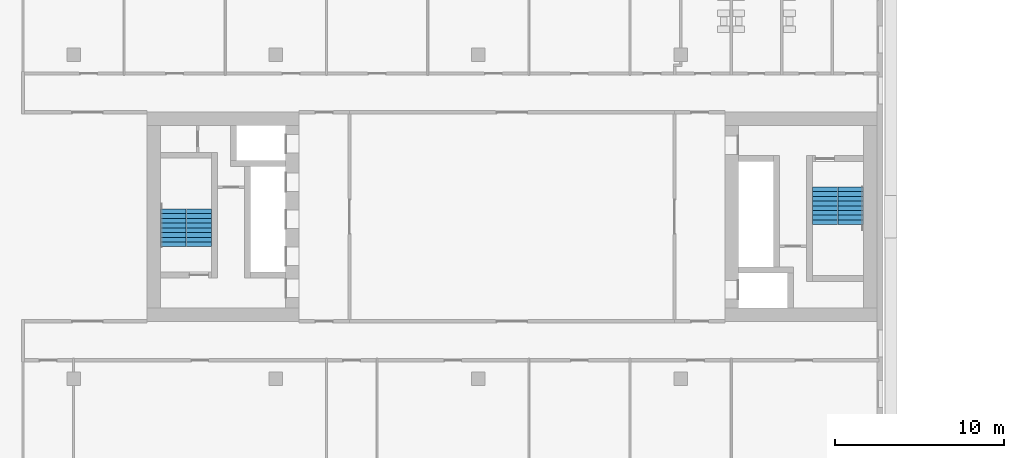
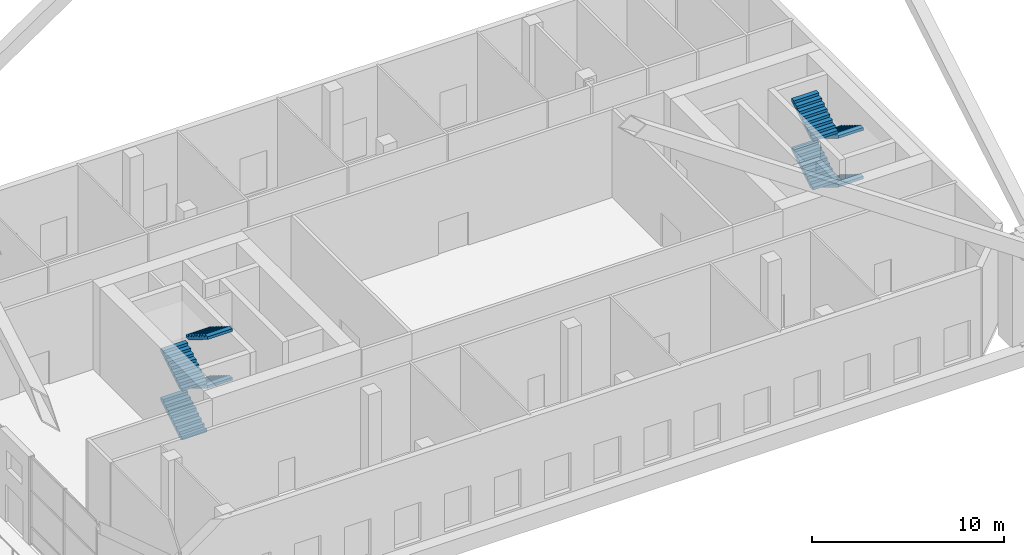
# One storey, part 18 of 20: 8 stair flights, 2 elements without a shape of their own.
"""IFC4 building model written with IfcOpenShell, lengths in metres."""

from ifc_helpers import new_model, si_unit, direction, frame, origin, place, context, subcontext, project, spatial, faceted_brep, material, type_object, element, aggregate, save


model = new_model("IFC4")

# Units and contexts
model_context = context("Model", 3, precision=1e-05, world=origin(), true_north=direction((0.0, 1.0)))
body_context = subcontext(model_context, "Body", "Model", "MODEL_VIEW")
ifc_project = project(units=[si_unit("LENGTHUNIT", "METRE"), si_unit("AREAUNIT", "SQUARE_METRE"), si_unit("VOLUMEUNIT", "CUBIC_METRE"), si_unit("PLANEANGLEUNIT", "RADIAN"), si_unit("MASSUNIT", "GRAM", prefix="KILO")], contexts=[model_context])

# Site, building, storey
site_placement = place(None, origin())
site = spatial("IfcSite", under=ifc_project, at=site_placement, CompositionType="ELEMENT")
building_placement = place(site_placement, origin())
building = spatial("IfcBuilding", under=site, at=building_placement, Name="Tuart Gate Housing", CompositionType="ELEMENT")
storey_placement = place(building_placement, frame((0.0, 0.0, 38.10009765625)))
storey = spatial("IfcBuildingStorey", under=building, at=storey_placement, Name="L10", CompositionType="ELEMENT", Elevation=38.10009765625)

# Stair, stair flights
ifc_material_1 = material(Name="Concrete C40", Category="concrete")
stair_type = type_object("IfcStairType", Name="Core stair 1500", PredefinedType="HALF_TURN_STAIR", material=ifc_material_1)
stair_1_placement = place(storey_placement, origin())
stair_1 = element("IfcStair", 1, at=stair_1_placement, inside=storey, type_object=stair_type, Name="Stair SA1", PredefinedType="HALF_TURN_STAIR")
ifc_material_2 = material(Name="Concrete C40", Category="concrete")
stair_flight_type = type_object("IfcStairFlightType", Name="Stair flight 1500, 9 risers 172 x 280", PredefinedType="STRAIGHT", material=ifc_material_2)
stair_flight_1_placement = place(storey_placement, frame((74.090087890625, 71.77490234375, 0.0), z_axis=(0.0, 0.0, 1.0), x_axis=(0.0, -1.0, 0.0)))
stair_flight_1 = element("IfcStairFlight", 2, at=stair_flight_1_placement, type_object=stair_flight_type, Name="SA1 flight 1", NumberOfRisers=9, NumberOfTreads=8, PredefinedType="STRAIGHT", RiserHeight=0.172222222, TreadLength=0.28, context=body_context, shape_type="Brep", body=[
    faceted_brep([(0.0, 0.75, 0.0), (0.0, 0.75, 0.172119140625), (0.280029296875, 0.75, 0.172119140625), (0.280029296875, 0.75, 0.344482421875), (0.56005859375, 0.75, 0.344482421875), (0.56005859375, 0.75, 0.5166015625), (0.840087890625, 0.75, 0.5166015625), (0.840087890625, 0.75, 0.68896484375), (1.1201171875, 0.75, 0.68896484375), (1.1201171875, 0.75, 0.861083984375), (1.39990234375, 0.75, 0.861083984375), (1.39990234375, 0.75, 1.033447265625), (1.679931640625, 0.75, 1.033447265625), (1.679931640625, 0.75, 1.20556640625), (1.9599609375, 0.75, 1.20556640625), (1.9599609375, 0.75, 1.377685546875), (2.239990234375, 0.75, 1.377685546875), (2.239990234375, 0.75, 1.201904296875), (0.2861328125, 0.75, 0.0), (0.2861328125, -0.75, 0.0), (2.239990234375, -0.75, 1.201904296875), (2.239990234375, -0.75, 1.377685546875), (1.9599609375, -0.75, 1.377685546875), (1.9599609375, -0.75, 1.20556640625), (1.679931640625, -0.75, 1.20556640625), (1.679931640625, -0.75, 1.033447265625), (1.39990234375, -0.75, 1.033447265625), (1.39990234375, -0.75, 0.861083984375), (1.1201171875, -0.75, 0.861083984375), (1.1201171875, -0.75, 0.68896484375), (0.840087890625, -0.75, 0.68896484375), (0.840087890625, -0.75, 0.5166015625), (0.56005859375, -0.75, 0.5166015625), (0.56005859375, -0.75, 0.344482421875), (0.280029296875, -0.75, 0.344482421875), (0.280029296875, -0.75, 0.172119140625), (0.0, -0.75, 0.172119140625), (0.0, -0.75, 0.0), (2.239990234375, 0.0, 1.201904296875), (0.2861328125, 0.0, 0.0), (2.239990234375, 0.0, 1.377685546875), (1.9599609375, 0.0, 1.377685546875), (1.9599609375, 0.0, 1.20556640625), (1.679931640625, 0.0, 1.20556640625), (1.679931640625, 0.0, 1.033447265625), (1.39990234375, 0.0, 1.033447265625), (1.39990234375, 0.0, 0.861083984375), (1.1201171875, 0.0, 0.861083984375), (1.1201171875, 0.0, 0.68896484375), (0.840087890625, 0.0, 0.68896484375), (0.840087890625, 0.0, 0.5166015625), (0.56005859375, 0.0, 0.5166015625), (0.56005859375, 0.0, 0.344482421875), (0.280029296875, 0.0, 0.344482421875), (0.280029296875, 0.0, 0.172119140625), (0.0, 0.0, 0.172119140625), (0.0, 0.0, 0.0)], [[[0, 1, 2, 3, 4, 5, 6, 7, 8, 9, 10, 11, 12, 13, 14, 15, 16, 17, 18]], [[19, 20, 21, 22, 23, 24, 25, 26, 27, 28, 29, 30, 31, 32, 33, 34, 35, 36, 37]], [[18, 17, 38, 39]], [[39, 38, 20, 19]], [[17, 16, 40, 38]], [[38, 40, 21, 20]], [[16, 15, 41, 40]], [[40, 41, 22, 21]], [[15, 14, 42, 41]], [[41, 42, 23, 22]], [[14, 13, 43, 42]], [[42, 43, 24, 23]], [[13, 12, 44, 43]], [[43, 44, 25, 24]], [[12, 11, 45, 44]], [[44, 45, 26, 25]], [[11, 10, 46, 45]], [[45, 46, 27, 26]], [[10, 9, 47, 46]], [[46, 47, 28, 27]], [[9, 8, 48, 47]], [[47, 48, 29, 28]], [[8, 7, 49, 48]], [[48, 49, 30, 29]], [[7, 6, 50, 49]], [[49, 50, 31, 30]], [[6, 5, 51, 50]], [[50, 51, 32, 31]], [[5, 4, 52, 51]], [[51, 52, 33, 32]], [[4, 3, 53, 52]], [[52, 53, 34, 33]], [[3, 2, 54, 53]], [[53, 54, 35, 34]], [[2, 1, 55, 54]], [[54, 55, 36, 35]], [[1, 0, 56, 55]], [[55, 56, 37, 36]], [[0, 18, 39, 56]], [[56, 39, 19, 37]]]),
])
stair_flight_2_placement = place(storey_placement, frame((72.56494140625, 69.534912109375, 1.5498046875), z_axis=(0.0, 0.0, 1.0), x_axis=(0.0, 1.0, 0.0)))
stair_flight_2 = element("IfcStairFlight", 3, at=stair_flight_2_placement, type_object=stair_flight_type, Name="SA1 flight 2", NumberOfRisers=9, NumberOfTreads=8, PredefinedType="STRAIGHT", RiserHeight=0.172222222, TreadLength=0.28, context=body_context, shape_type="Brep", body=[
    faceted_brep([(0.0, 0.75, 0.0), (0.0, 0.75, 0.172119140625), (0.280029296875, 0.75, 0.172119140625), (0.280029296875, 0.75, 0.344482421875), (0.56005859375, 0.75, 0.344482421875), (0.56005859375, 0.75, 0.5166015625), (0.840087890625, 0.75, 0.5166015625), (0.840087890625, 0.75, 0.68896484375), (1.1201171875, 0.75, 0.68896484375), (1.1201171875, 0.75, 0.861083984375), (1.39990234375, 0.75, 0.861083984375), (1.39990234375, 0.75, 1.033447265625), (1.679931640625, 0.75, 1.033447265625), (1.679931640625, 0.75, 1.20556640625), (1.9599609375, 0.75, 1.20556640625), (1.9599609375, 0.75, 1.377685546875), (2.239990234375, 0.75, 1.377685546875), (2.239990234375, 0.75, 1.201904296875), (0.2861328125, 0.75, 0.0), (0.2861328125, -0.75, 0.0), (2.239990234375, -0.75, 1.201904296875), (2.239990234375, -0.75, 1.377685546875), (1.9599609375, -0.75, 1.377685546875), (1.9599609375, -0.75, 1.20556640625), (1.679931640625, -0.75, 1.20556640625), (1.679931640625, -0.75, 1.033447265625), (1.39990234375, -0.75, 1.033447265625), (1.39990234375, -0.75, 0.861083984375), (1.1201171875, -0.75, 0.861083984375), (1.1201171875, -0.75, 0.68896484375), (0.840087890625, -0.75, 0.68896484375), (0.840087890625, -0.75, 0.5166015625), (0.56005859375, -0.75, 0.5166015625), (0.56005859375, -0.75, 0.344482421875), (0.280029296875, -0.75, 0.344482421875), (0.280029296875, -0.75, 0.172119140625), (0.0, -0.75, 0.172119140625), (0.0, -0.75, 0.0), (2.239990234375, 0.0, 1.201904296875), (0.2861328125, 0.0, 0.0), (2.239990234375, 0.0, 1.377685546875), (1.9599609375, 0.0, 1.377685546875), (1.9599609375, 0.0, 1.20556640625), (1.679931640625, 0.0, 1.20556640625), (1.679931640625, 0.0, 1.033447265625), (1.39990234375, 0.0, 1.033447265625), (1.39990234375, 0.0, 0.861083984375), (1.1201171875, 0.0, 0.861083984375), (1.1201171875, 0.0, 0.68896484375), (0.840087890625, 0.0, 0.68896484375), (0.840087890625, 0.0, 0.5166015625), (0.56005859375, 0.0, 0.5166015625), (0.56005859375, 0.0, 0.344482421875), (0.280029296875, 0.0, 0.344482421875), (0.280029296875, 0.0, 0.172119140625), (0.0, 0.0, 0.172119140625), (0.0, 0.0, 0.0)], [[[0, 1, 2, 3, 4, 5, 6, 7, 8, 9, 10, 11, 12, 13, 14, 15, 16, 17, 18]], [[19, 20, 21, 22, 23, 24, 25, 26, 27, 28, 29, 30, 31, 32, 33, 34, 35, 36, 37]], [[18, 17, 38, 39]], [[39, 38, 20, 19]], [[17, 16, 40, 38]], [[38, 40, 21, 20]], [[16, 15, 41, 40]], [[40, 41, 22, 21]], [[15, 14, 42, 41]], [[41, 42, 23, 22]], [[14, 13, 43, 42]], [[42, 43, 24, 23]], [[13, 12, 44, 43]], [[43, 44, 25, 24]], [[12, 11, 45, 44]], [[44, 45, 26, 25]], [[11, 10, 46, 45]], [[45, 46, 27, 26]], [[10, 9, 47, 46]], [[46, 47, 28, 27]], [[9, 8, 48, 47]], [[47, 48, 29, 28]], [[8, 7, 49, 48]], [[48, 49, 30, 29]], [[7, 6, 50, 49]], [[49, 50, 31, 30]], [[6, 5, 51, 50]], [[50, 51, 32, 31]], [[5, 4, 52, 51]], [[51, 52, 33, 32]], [[4, 3, 53, 52]], [[52, 53, 34, 33]], [[3, 2, 54, 53]], [[53, 54, 35, 34]], [[2, 1, 55, 54]], [[54, 55, 36, 35]], [[1, 0, 56, 55]], [[55, 56, 37, 36]], [[0, 18, 39, 56]], [[56, 39, 19, 37]]]),
])
stair_flight_3_placement = place(storey_placement, frame((74.090087890625, 71.77490234375, 3.099853515625), z_axis=(0.0, 0.0, 1.0), x_axis=(0.0, -1.0, 0.0)))
stair_flight_3 = element("IfcStairFlight", 4, at=stair_flight_3_placement, type_object=stair_flight_type, Name="SA1 flight 3", NumberOfRisers=9, NumberOfTreads=8, PredefinedType="STRAIGHT", RiserHeight=0.172222222, TreadLength=0.28, context=body_context, shape_type="Brep", body=[
    faceted_brep([(0.0, 0.75, 0.0), (0.0, 0.75, 0.172119140625), (0.280029296875, 0.75, 0.172119140625), (0.280029296875, 0.75, 0.344482421875), (0.56005859375, 0.75, 0.344482421875), (0.56005859375, 0.75, 0.5166015625), (0.840087890625, 0.75, 0.5166015625), (0.840087890625, 0.75, 0.68896484375), (1.1201171875, 0.75, 0.68896484375), (1.1201171875, 0.75, 0.861083984375), (1.39990234375, 0.75, 0.861083984375), (1.39990234375, 0.75, 1.033447265625), (1.679931640625, 0.75, 1.033447265625), (1.679931640625, 0.75, 1.20556640625), (1.9599609375, 0.75, 1.20556640625), (1.9599609375, 0.75, 1.377685546875), (2.239990234375, 0.75, 1.377685546875), (2.239990234375, 0.75, 1.201904296875), (0.2861328125, 0.75, 0.0), (0.2861328125, -0.75, 0.0), (2.239990234375, -0.75, 1.201904296875), (2.239990234375, -0.75, 1.377685546875), (1.9599609375, -0.75, 1.377685546875), (1.9599609375, -0.75, 1.20556640625), (1.679931640625, -0.75, 1.20556640625), (1.679931640625, -0.75, 1.033447265625), (1.39990234375, -0.75, 1.033447265625), (1.39990234375, -0.75, 0.861083984375), (1.1201171875, -0.75, 0.861083984375), (1.1201171875, -0.75, 0.68896484375), (0.840087890625, -0.75, 0.68896484375), (0.840087890625, -0.75, 0.5166015625), (0.56005859375, -0.75, 0.5166015625), (0.56005859375, -0.75, 0.344482421875), (0.280029296875, -0.75, 0.344482421875), (0.280029296875, -0.75, 0.172119140625), (0.0, -0.75, 0.172119140625), (0.0, -0.75, 0.0), (2.239990234375, 0.0, 1.201904296875), (0.2861328125, 0.0, 0.0), (2.239990234375, 0.0, 1.377685546875), (1.9599609375, 0.0, 1.377685546875), (1.9599609375, 0.0, 1.20556640625), (1.679931640625, 0.0, 1.20556640625), (1.679931640625, 0.0, 1.033447265625), (1.39990234375, 0.0, 1.033447265625), (1.39990234375, 0.0, 0.861083984375), (1.1201171875, 0.0, 0.861083984375), (1.1201171875, 0.0, 0.68896484375), (0.840087890625, 0.0, 0.68896484375), (0.840087890625, 0.0, 0.5166015625), (0.56005859375, 0.0, 0.5166015625), (0.56005859375, 0.0, 0.344482421875), (0.280029296875, 0.0, 0.344482421875), (0.280029296875, 0.0, 0.172119140625), (0.0, 0.0, 0.172119140625), (0.0, 0.0, 0.0)], [[[0, 1, 2, 3, 4, 5, 6, 7, 8, 9, 10, 11, 12, 13, 14, 15, 16, 17, 18]], [[19, 20, 21, 22, 23, 24, 25, 26, 27, 28, 29, 30, 31, 32, 33, 34, 35, 36, 37]], [[18, 17, 38, 39]], [[39, 38, 20, 19]], [[17, 16, 40, 38]], [[38, 40, 21, 20]], [[16, 15, 41, 40]], [[40, 41, 22, 21]], [[15, 14, 42, 41]], [[41, 42, 23, 22]], [[14, 13, 43, 42]], [[42, 43, 24, 23]], [[13, 12, 44, 43]], [[43, 44, 25, 24]], [[12, 11, 45, 44]], [[44, 45, 26, 25]], [[11, 10, 46, 45]], [[45, 46, 27, 26]], [[10, 9, 47, 46]], [[46, 47, 28, 27]], [[9, 8, 48, 47]], [[47, 48, 29, 28]], [[8, 7, 49, 48]], [[48, 49, 30, 29]], [[7, 6, 50, 49]], [[49, 50, 31, 30]], [[6, 5, 51, 50]], [[50, 51, 32, 31]], [[5, 4, 52, 51]], [[51, 52, 33, 32]], [[4, 3, 53, 52]], [[52, 53, 34, 33]], [[3, 2, 54, 53]], [[53, 54, 35, 34]], [[2, 1, 55, 54]], [[54, 55, 36, 35]], [[1, 0, 56, 55]], [[55, 56, 37, 36]], [[0, 18, 39, 56]], [[56, 39, 19, 37]]]),
])
stair_flight_4_placement = place(storey_placement, frame((72.56494140625, 69.534912109375, 4.64990234375), z_axis=(0.0, 0.0, 1.0), x_axis=(0.0, 1.0, 0.0)))
stair_flight_4 = element("IfcStairFlight", 5, at=stair_flight_4_placement, type_object=stair_flight_type, Name="SA1 flight 4", NumberOfRisers=9, NumberOfTreads=8, PredefinedType="STRAIGHT", RiserHeight=0.172222222, TreadLength=0.28, context=body_context, shape_type="Brep", body=[
    faceted_brep([(0.0, 0.75, 0.0), (0.0, 0.75, 0.172119140625), (0.280029296875, 0.75, 0.172119140625), (0.280029296875, 0.75, 0.344482421875), (0.56005859375, 0.75, 0.344482421875), (0.56005859375, 0.75, 0.5166015625), (0.840087890625, 0.75, 0.5166015625), (0.840087890625, 0.75, 0.68896484375), (1.1201171875, 0.75, 0.68896484375), (1.1201171875, 0.75, 0.861083984375), (1.39990234375, 0.75, 0.861083984375), (1.39990234375, 0.75, 1.033447265625), (1.679931640625, 0.75, 1.033447265625), (1.679931640625, 0.75, 1.20556640625), (1.9599609375, 0.75, 1.20556640625), (1.9599609375, 0.75, 1.377685546875), (2.239990234375, 0.75, 1.377685546875), (2.239990234375, 0.75, 1.201904296875), (0.2861328125, 0.75, 0.0), (0.2861328125, -0.75, 0.0), (2.239990234375, -0.75, 1.201904296875), (2.239990234375, -0.75, 1.377685546875), (1.9599609375, -0.75, 1.377685546875), (1.9599609375, -0.75, 1.20556640625), (1.679931640625, -0.75, 1.20556640625), (1.679931640625, -0.75, 1.033447265625), (1.39990234375, -0.75, 1.033447265625), (1.39990234375, -0.75, 0.861083984375), (1.1201171875, -0.75, 0.861083984375), (1.1201171875, -0.75, 0.68896484375), (0.840087890625, -0.75, 0.68896484375), (0.840087890625, -0.75, 0.5166015625), (0.56005859375, -0.75, 0.5166015625), (0.56005859375, -0.75, 0.344482421875), (0.280029296875, -0.75, 0.344482421875), (0.280029296875, -0.75, 0.172119140625), (0.0, -0.75, 0.172119140625), (0.0, -0.75, 0.0), (2.239990234375, 0.0, 1.201904296875), (0.2861328125, 0.0, 0.0), (2.239990234375, 0.0, 1.377685546875), (1.9599609375, 0.0, 1.377685546875), (1.9599609375, 0.0, 1.20556640625), (1.679931640625, 0.0, 1.20556640625), (1.679931640625, 0.0, 1.033447265625), (1.39990234375, 0.0, 1.033447265625), (1.39990234375, 0.0, 0.861083984375), (1.1201171875, 0.0, 0.861083984375), (1.1201171875, 0.0, 0.68896484375), (0.840087890625, 0.0, 0.68896484375), (0.840087890625, 0.0, 0.5166015625), (0.56005859375, 0.0, 0.5166015625), (0.56005859375, 0.0, 0.344482421875), (0.280029296875, 0.0, 0.344482421875), (0.280029296875, 0.0, 0.172119140625), (0.0, 0.0, 0.172119140625), (0.0, 0.0, 0.0)], [[[0, 1, 2, 3, 4, 5, 6, 7, 8, 9, 10, 11, 12, 13, 14, 15, 16, 17, 18]], [[19, 20, 21, 22, 23, 24, 25, 26, 27, 28, 29, 30, 31, 32, 33, 34, 35, 36, 37]], [[18, 17, 38, 39]], [[39, 38, 20, 19]], [[17, 16, 40, 38]], [[38, 40, 21, 20]], [[16, 15, 41, 40]], [[40, 41, 22, 21]], [[15, 14, 42, 41]], [[41, 42, 23, 22]], [[14, 13, 43, 42]], [[42, 43, 24, 23]], [[13, 12, 44, 43]], [[43, 44, 25, 24]], [[12, 11, 45, 44]], [[44, 45, 26, 25]], [[11, 10, 46, 45]], [[45, 46, 27, 26]], [[10, 9, 47, 46]], [[46, 47, 28, 27]], [[9, 8, 48, 47]], [[47, 48, 29, 28]], [[8, 7, 49, 48]], [[48, 49, 30, 29]], [[7, 6, 50, 49]], [[49, 50, 31, 30]], [[6, 5, 51, 50]], [[50, 51, 32, 31]], [[5, 4, 52, 51]], [[51, 52, 33, 32]], [[4, 3, 53, 52]], [[52, 53, 34, 33]], [[3, 2, 54, 53]], [[53, 54, 35, 34]], [[2, 1, 55, 54]], [[54, 55, 36, 35]], [[1, 0, 56, 55]], [[55, 56, 37, 36]], [[0, 18, 39, 56]], [[56, 39, 19, 37]]]),
])
aggregate(stair_1, [stair_flight_1, stair_flight_2, stair_flight_3, stair_flight_4])

stair_2_placement = place(storey_placement, origin())
stair_2 = element("IfcStair", 6, at=stair_2_placement, inside=storey, type_object=stair_type, Name="Stair SA2", PredefinedType="HALF_TURN_STAIR")
stair_flight_5_placement = place(storey_placement, frame((33.909912109375, 68.22509765625, 0.0), z_axis=(0.0, 0.0, 1.0), x_axis=(0.0, 1.0, 0.0)))
stair_flight_5 = element("IfcStairFlight", 7, at=stair_flight_5_placement, type_object=stair_flight_type, Name="SA2 flight 1", NumberOfRisers=9, NumberOfTreads=8, PredefinedType="STRAIGHT", RiserHeight=0.172222222, TreadLength=0.28, context=body_context, shape_type="Brep", body=[
    faceted_brep([(0.0, 0.75, 0.0), (0.0, 0.75, 0.172119140625), (0.280029296875, 0.75, 0.172119140625), (0.280029296875, 0.75, 0.344482421875), (0.56005859375, 0.75, 0.344482421875), (0.56005859375, 0.75, 0.5166015625), (0.840087890625, 0.75, 0.5166015625), (0.840087890625, 0.75, 0.68896484375), (1.1201171875, 0.75, 0.68896484375), (1.1201171875, 0.75, 0.861083984375), (1.39990234375, 0.75, 0.861083984375), (1.39990234375, 0.75, 1.033447265625), (1.679931640625, 0.75, 1.033447265625), (1.679931640625, 0.75, 1.20556640625), (1.9599609375, 0.75, 1.20556640625), (1.9599609375, 0.75, 1.377685546875), (2.239990234375, 0.75, 1.377685546875), (2.239990234375, 0.75, 1.201904296875), (0.2861328125, 0.75, 0.0), (0.2861328125, -0.75, 0.0), (2.239990234375, -0.75, 1.201904296875), (2.239990234375, -0.75, 1.377685546875), (1.9599609375, -0.75, 1.377685546875), (1.9599609375, -0.75, 1.20556640625), (1.679931640625, -0.75, 1.20556640625), (1.679931640625, -0.75, 1.033447265625), (1.39990234375, -0.75, 1.033447265625), (1.39990234375, -0.75, 0.861083984375), (1.1201171875, -0.75, 0.861083984375), (1.1201171875, -0.75, 0.68896484375), (0.840087890625, -0.75, 0.68896484375), (0.840087890625, -0.75, 0.5166015625), (0.56005859375, -0.75, 0.5166015625), (0.56005859375, -0.75, 0.344482421875), (0.280029296875, -0.75, 0.344482421875), (0.280029296875, -0.75, 0.172119140625), (0.0, -0.75, 0.172119140625), (0.0, -0.75, 0.0), (2.239990234375, 0.0, 1.201904296875), (0.2861328125, 0.0, 0.0), (2.239990234375, 0.0, 1.377685546875), (1.9599609375, 0.0, 1.377685546875), (1.9599609375, 0.0, 1.20556640625), (1.679931640625, 0.0, 1.20556640625), (1.679931640625, 0.0, 1.033447265625), (1.39990234375, 0.0, 1.033447265625), (1.39990234375, 0.0, 0.861083984375), (1.1201171875, 0.0, 0.861083984375), (1.1201171875, 0.0, 0.68896484375), (0.840087890625, 0.0, 0.68896484375), (0.840087890625, 0.0, 0.5166015625), (0.56005859375, 0.0, 0.5166015625), (0.56005859375, 0.0, 0.344482421875), (0.280029296875, 0.0, 0.344482421875), (0.280029296875, 0.0, 0.172119140625), (0.0, 0.0, 0.172119140625), (0.0, 0.0, 0.0)], [[[0, 1, 2, 3, 4, 5, 6, 7, 8, 9, 10, 11, 12, 13, 14, 15, 16, 17, 18]], [[19, 20, 21, 22, 23, 24, 25, 26, 27, 28, 29, 30, 31, 32, 33, 34, 35, 36, 37]], [[18, 17, 38, 39]], [[39, 38, 20, 19]], [[17, 16, 40, 38]], [[38, 40, 21, 20]], [[16, 15, 41, 40]], [[40, 41, 22, 21]], [[15, 14, 42, 41]], [[41, 42, 23, 22]], [[14, 13, 43, 42]], [[42, 43, 24, 23]], [[13, 12, 44, 43]], [[43, 44, 25, 24]], [[12, 11, 45, 44]], [[44, 45, 26, 25]], [[11, 10, 46, 45]], [[45, 46, 27, 26]], [[10, 9, 47, 46]], [[46, 47, 28, 27]], [[9, 8, 48, 47]], [[47, 48, 29, 28]], [[8, 7, 49, 48]], [[48, 49, 30, 29]], [[7, 6, 50, 49]], [[49, 50, 31, 30]], [[6, 5, 51, 50]], [[50, 51, 32, 31]], [[5, 4, 52, 51]], [[51, 52, 33, 32]], [[4, 3, 53, 52]], [[52, 53, 34, 33]], [[3, 2, 54, 53]], [[53, 54, 35, 34]], [[2, 1, 55, 54]], [[54, 55, 36, 35]], [[1, 0, 56, 55]], [[55, 56, 37, 36]], [[0, 18, 39, 56]], [[56, 39, 19, 37]]]),
])
stair_flight_6_placement = place(storey_placement, frame((35.43505859375, 70.465087890625, 1.5498046875), z_axis=(0.0, 0.0, 1.0), x_axis=(0.0, -1.0, 0.0)))
stair_flight_6 = element("IfcStairFlight", 8, at=stair_flight_6_placement, type_object=stair_flight_type, Name="SA2 flight 2", NumberOfRisers=9, NumberOfTreads=8, PredefinedType="STRAIGHT", RiserHeight=0.172222222, TreadLength=0.28, context=body_context, shape_type="Brep", body=[
    faceted_brep([(0.0, 0.75, 0.0), (0.0, 0.75, 0.172119140625), (0.280029296875, 0.75, 0.172119140625), (0.280029296875, 0.75, 0.344482421875), (0.56005859375, 0.75, 0.344482421875), (0.56005859375, 0.75, 0.5166015625), (0.840087890625, 0.75, 0.5166015625), (0.840087890625, 0.75, 0.68896484375), (1.1201171875, 0.75, 0.68896484375), (1.1201171875, 0.75, 0.861083984375), (1.39990234375, 0.75, 0.861083984375), (1.39990234375, 0.75, 1.033447265625), (1.679931640625, 0.75, 1.033447265625), (1.679931640625, 0.75, 1.20556640625), (1.9599609375, 0.75, 1.20556640625), (1.9599609375, 0.75, 1.377685546875), (2.239990234375, 0.75, 1.377685546875), (2.239990234375, 0.75, 1.201904296875), (0.2861328125, 0.75, 0.0), (0.2861328125, -0.75, 0.0), (2.239990234375, -0.75, 1.201904296875), (2.239990234375, -0.75, 1.377685546875), (1.9599609375, -0.75, 1.377685546875), (1.9599609375, -0.75, 1.20556640625), (1.679931640625, -0.75, 1.20556640625), (1.679931640625, -0.75, 1.033447265625), (1.39990234375, -0.75, 1.033447265625), (1.39990234375, -0.75, 0.861083984375), (1.1201171875, -0.75, 0.861083984375), (1.1201171875, -0.75, 0.68896484375), (0.840087890625, -0.75, 0.68896484375), (0.840087890625, -0.75, 0.5166015625), (0.56005859375, -0.75, 0.5166015625), (0.56005859375, -0.75, 0.344482421875), (0.280029296875, -0.75, 0.344482421875), (0.280029296875, -0.75, 0.172119140625), (0.0, -0.75, 0.172119140625), (0.0, -0.75, 0.0), (2.239990234375, 0.0, 1.201904296875), (0.2861328125, 0.0, 0.0), (2.239990234375, 0.0, 1.377685546875), (1.9599609375, 0.0, 1.377685546875), (1.9599609375, 0.0, 1.20556640625), (1.679931640625, 0.0, 1.20556640625), (1.679931640625, 0.0, 1.033447265625), (1.39990234375, 0.0, 1.033447265625), (1.39990234375, 0.0, 0.861083984375), (1.1201171875, 0.0, 0.861083984375), (1.1201171875, 0.0, 0.68896484375), (0.840087890625, 0.0, 0.68896484375), (0.840087890625, 0.0, 0.5166015625), (0.56005859375, 0.0, 0.5166015625), (0.56005859375, 0.0, 0.344482421875), (0.280029296875, 0.0, 0.344482421875), (0.280029296875, 0.0, 0.172119140625), (0.0, 0.0, 0.172119140625), (0.0, 0.0, 0.0)], [[[0, 1, 2, 3, 4, 5, 6, 7, 8, 9, 10, 11, 12, 13, 14, 15, 16, 17, 18]], [[19, 20, 21, 22, 23, 24, 25, 26, 27, 28, 29, 30, 31, 32, 33, 34, 35, 36, 37]], [[18, 17, 38, 39]], [[39, 38, 20, 19]], [[17, 16, 40, 38]], [[38, 40, 21, 20]], [[16, 15, 41, 40]], [[40, 41, 22, 21]], [[15, 14, 42, 41]], [[41, 42, 23, 22]], [[14, 13, 43, 42]], [[42, 43, 24, 23]], [[13, 12, 44, 43]], [[43, 44, 25, 24]], [[12, 11, 45, 44]], [[44, 45, 26, 25]], [[11, 10, 46, 45]], [[45, 46, 27, 26]], [[10, 9, 47, 46]], [[46, 47, 28, 27]], [[9, 8, 48, 47]], [[47, 48, 29, 28]], [[8, 7, 49, 48]], [[48, 49, 30, 29]], [[7, 6, 50, 49]], [[49, 50, 31, 30]], [[6, 5, 51, 50]], [[50, 51, 32, 31]], [[5, 4, 52, 51]], [[51, 52, 33, 32]], [[4, 3, 53, 52]], [[52, 53, 34, 33]], [[3, 2, 54, 53]], [[53, 54, 35, 34]], [[2, 1, 55, 54]], [[54, 55, 36, 35]], [[1, 0, 56, 55]], [[55, 56, 37, 36]], [[0, 18, 39, 56]], [[56, 39, 19, 37]]]),
])
stair_flight_7_placement = place(storey_placement, frame((33.909912109375, 68.22509765625, 3.099853515625), z_axis=(0.0, 0.0, 1.0), x_axis=(0.0, 1.0, 0.0)))
stair_flight_7 = element("IfcStairFlight", 9, at=stair_flight_7_placement, type_object=stair_flight_type, Name="SA2 flight 3", NumberOfRisers=9, NumberOfTreads=8, PredefinedType="STRAIGHT", RiserHeight=0.172222222, TreadLength=0.28, context=body_context, shape_type="Brep", body=[
    faceted_brep([(0.0, 0.75, 0.0), (0.0, 0.75, 0.172119140625), (0.280029296875, 0.75, 0.172119140625), (0.280029296875, 0.75, 0.344482421875), (0.56005859375, 0.75, 0.344482421875), (0.56005859375, 0.75, 0.5166015625), (0.840087890625, 0.75, 0.5166015625), (0.840087890625, 0.75, 0.68896484375), (1.1201171875, 0.75, 0.68896484375), (1.1201171875, 0.75, 0.861083984375), (1.39990234375, 0.75, 0.861083984375), (1.39990234375, 0.75, 1.033447265625), (1.679931640625, 0.75, 1.033447265625), (1.679931640625, 0.75, 1.20556640625), (1.9599609375, 0.75, 1.20556640625), (1.9599609375, 0.75, 1.377685546875), (2.239990234375, 0.75, 1.377685546875), (2.239990234375, 0.75, 1.201904296875), (0.2861328125, 0.75, 0.0), (0.2861328125, -0.75, 0.0), (2.239990234375, -0.75, 1.201904296875), (2.239990234375, -0.75, 1.377685546875), (1.9599609375, -0.75, 1.377685546875), (1.9599609375, -0.75, 1.20556640625), (1.679931640625, -0.75, 1.20556640625), (1.679931640625, -0.75, 1.033447265625), (1.39990234375, -0.75, 1.033447265625), (1.39990234375, -0.75, 0.861083984375), (1.1201171875, -0.75, 0.861083984375), (1.1201171875, -0.75, 0.68896484375), (0.840087890625, -0.75, 0.68896484375), (0.840087890625, -0.75, 0.5166015625), (0.56005859375, -0.75, 0.5166015625), (0.56005859375, -0.75, 0.344482421875), (0.280029296875, -0.75, 0.344482421875), (0.280029296875, -0.75, 0.172119140625), (0.0, -0.75, 0.172119140625), (0.0, -0.75, 0.0), (2.239990234375, 0.0, 1.201904296875), (0.2861328125, 0.0, 0.0), (2.239990234375, 0.0, 1.377685546875), (1.9599609375, 0.0, 1.377685546875), (1.9599609375, 0.0, 1.20556640625), (1.679931640625, 0.0, 1.20556640625), (1.679931640625, 0.0, 1.033447265625), (1.39990234375, 0.0, 1.033447265625), (1.39990234375, 0.0, 0.861083984375), (1.1201171875, 0.0, 0.861083984375), (1.1201171875, 0.0, 0.68896484375), (0.840087890625, 0.0, 0.68896484375), (0.840087890625, 0.0, 0.5166015625), (0.56005859375, 0.0, 0.5166015625), (0.56005859375, 0.0, 0.344482421875), (0.280029296875, 0.0, 0.344482421875), (0.280029296875, 0.0, 0.172119140625), (0.0, 0.0, 0.172119140625), (0.0, 0.0, 0.0)], [[[0, 1, 2, 3, 4, 5, 6, 7, 8, 9, 10, 11, 12, 13, 14, 15, 16, 17, 18]], [[19, 20, 21, 22, 23, 24, 25, 26, 27, 28, 29, 30, 31, 32, 33, 34, 35, 36, 37]], [[18, 17, 38, 39]], [[39, 38, 20, 19]], [[17, 16, 40, 38]], [[38, 40, 21, 20]], [[16, 15, 41, 40]], [[40, 41, 22, 21]], [[15, 14, 42, 41]], [[41, 42, 23, 22]], [[14, 13, 43, 42]], [[42, 43, 24, 23]], [[13, 12, 44, 43]], [[43, 44, 25, 24]], [[12, 11, 45, 44]], [[44, 45, 26, 25]], [[11, 10, 46, 45]], [[45, 46, 27, 26]], [[10, 9, 47, 46]], [[46, 47, 28, 27]], [[9, 8, 48, 47]], [[47, 48, 29, 28]], [[8, 7, 49, 48]], [[48, 49, 30, 29]], [[7, 6, 50, 49]], [[49, 50, 31, 30]], [[6, 5, 51, 50]], [[50, 51, 32, 31]], [[5, 4, 52, 51]], [[51, 52, 33, 32]], [[4, 3, 53, 52]], [[52, 53, 34, 33]], [[3, 2, 54, 53]], [[53, 54, 35, 34]], [[2, 1, 55, 54]], [[54, 55, 36, 35]], [[1, 0, 56, 55]], [[55, 56, 37, 36]], [[0, 18, 39, 56]], [[56, 39, 19, 37]]]),
])
stair_flight_8_placement = place(storey_placement, frame((35.43505859375, 70.465087890625, 4.64990234375), z_axis=(0.0, 0.0, 1.0), x_axis=(0.0, -1.0, 0.0)))
stair_flight_8 = element("IfcStairFlight", 10, at=stair_flight_8_placement, type_object=stair_flight_type, Name="SA2 flight 4", NumberOfRisers=9, NumberOfTreads=8, PredefinedType="STRAIGHT", RiserHeight=0.172222222, TreadLength=0.28, context=body_context, shape_type="Brep", body=[
    faceted_brep([(0.0, 0.75, 0.0), (0.0, 0.75, 0.172119140625), (0.280029296875, 0.75, 0.172119140625), (0.280029296875, 0.75, 0.344482421875), (0.56005859375, 0.75, 0.344482421875), (0.56005859375, 0.75, 0.5166015625), (0.840087890625, 0.75, 0.5166015625), (0.840087890625, 0.75, 0.68896484375), (1.1201171875, 0.75, 0.68896484375), (1.1201171875, 0.75, 0.861083984375), (1.39990234375, 0.75, 0.861083984375), (1.39990234375, 0.75, 1.033447265625), (1.679931640625, 0.75, 1.033447265625), (1.679931640625, 0.75, 1.20556640625), (1.9599609375, 0.75, 1.20556640625), (1.9599609375, 0.75, 1.377685546875), (2.239990234375, 0.75, 1.377685546875), (2.239990234375, 0.75, 1.201904296875), (0.2861328125, 0.75, 0.0), (0.2861328125, -0.75, 0.0), (2.239990234375, -0.75, 1.201904296875), (2.239990234375, -0.75, 1.377685546875), (1.9599609375, -0.75, 1.377685546875), (1.9599609375, -0.75, 1.20556640625), (1.679931640625, -0.75, 1.20556640625), (1.679931640625, -0.75, 1.033447265625), (1.39990234375, -0.75, 1.033447265625), (1.39990234375, -0.75, 0.861083984375), (1.1201171875, -0.75, 0.861083984375), (1.1201171875, -0.75, 0.68896484375), (0.840087890625, -0.75, 0.68896484375), (0.840087890625, -0.75, 0.5166015625), (0.56005859375, -0.75, 0.5166015625), (0.56005859375, -0.75, 0.344482421875), (0.280029296875, -0.75, 0.344482421875), (0.280029296875, -0.75, 0.172119140625), (0.0, -0.75, 0.172119140625), (0.0, -0.75, 0.0), (2.239990234375, 0.0, 1.201904296875), (0.2861328125, 0.0, 0.0), (2.239990234375, 0.0, 1.377685546875), (1.9599609375, 0.0, 1.377685546875), (1.9599609375, 0.0, 1.20556640625), (1.679931640625, 0.0, 1.20556640625), (1.679931640625, 0.0, 1.033447265625), (1.39990234375, 0.0, 1.033447265625), (1.39990234375, 0.0, 0.861083984375), (1.1201171875, 0.0, 0.861083984375), (1.1201171875, 0.0, 0.68896484375), (0.840087890625, 0.0, 0.68896484375), (0.840087890625, 0.0, 0.5166015625), (0.56005859375, 0.0, 0.5166015625), (0.56005859375, 0.0, 0.344482421875), (0.280029296875, 0.0, 0.344482421875), (0.280029296875, 0.0, 0.172119140625), (0.0, 0.0, 0.172119140625), (0.0, 0.0, 0.0)], [[[0, 1, 2, 3, 4, 5, 6, 7, 8, 9, 10, 11, 12, 13, 14, 15, 16, 17, 18]], [[19, 20, 21, 22, 23, 24, 25, 26, 27, 28, 29, 30, 31, 32, 33, 34, 35, 36, 37]], [[18, 17, 38, 39]], [[39, 38, 20, 19]], [[17, 16, 40, 38]], [[38, 40, 21, 20]], [[16, 15, 41, 40]], [[40, 41, 22, 21]], [[15, 14, 42, 41]], [[41, 42, 23, 22]], [[14, 13, 43, 42]], [[42, 43, 24, 23]], [[13, 12, 44, 43]], [[43, 44, 25, 24]], [[12, 11, 45, 44]], [[44, 45, 26, 25]], [[11, 10, 46, 45]], [[45, 46, 27, 26]], [[10, 9, 47, 46]], [[46, 47, 28, 27]], [[9, 8, 48, 47]], [[47, 48, 29, 28]], [[8, 7, 49, 48]], [[48, 49, 30, 29]], [[7, 6, 50, 49]], [[49, 50, 31, 30]], [[6, 5, 51, 50]], [[50, 51, 32, 31]], [[5, 4, 52, 51]], [[51, 52, 33, 32]], [[4, 3, 53, 52]], [[52, 53, 34, 33]], [[3, 2, 54, 53]], [[53, 54, 35, 34]], [[2, 1, 55, 54]], [[54, 55, 36, 35]], [[1, 0, 56, 55]], [[55, 56, 37, 36]], [[0, 18, 39, 56]], [[56, 39, 19, 37]]]),
])
aggregate(stair_2, [stair_flight_5, stair_flight_6, stair_flight_7, stair_flight_8])

save(model, "model.ifc")
